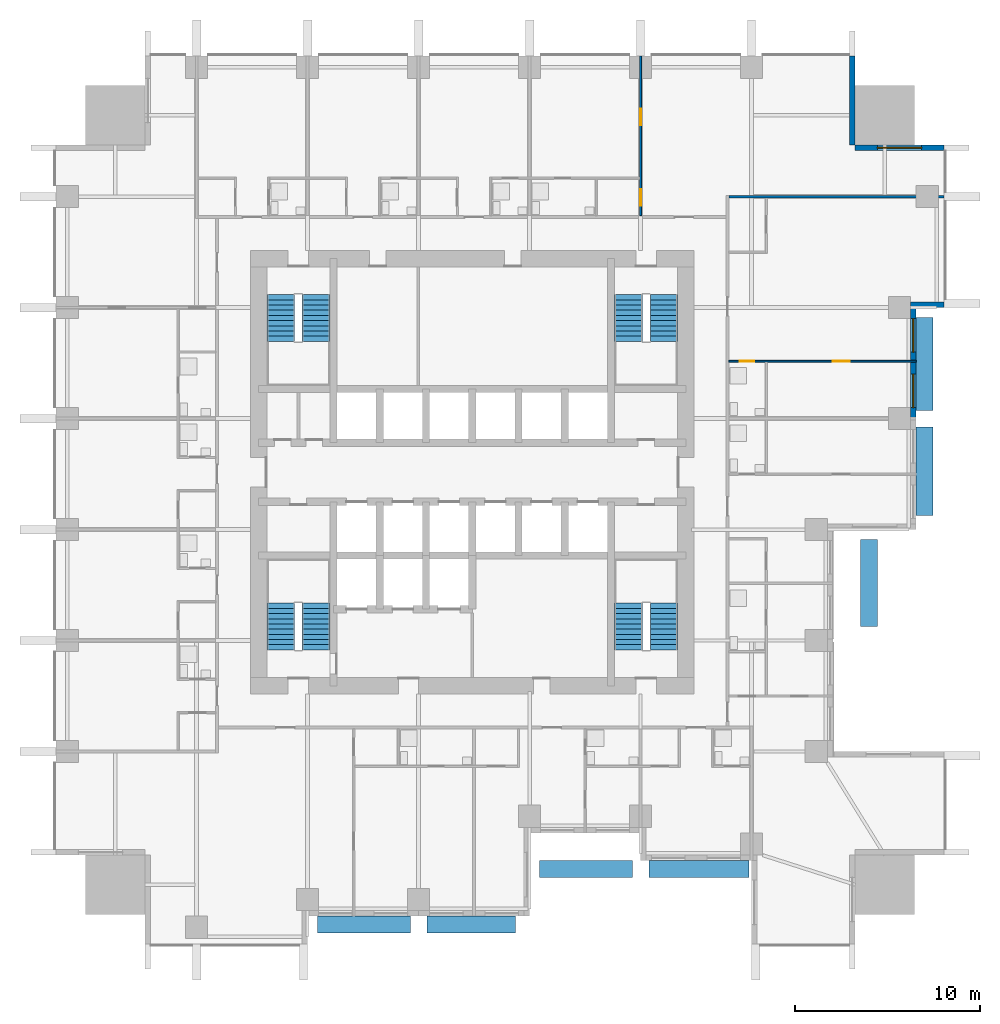
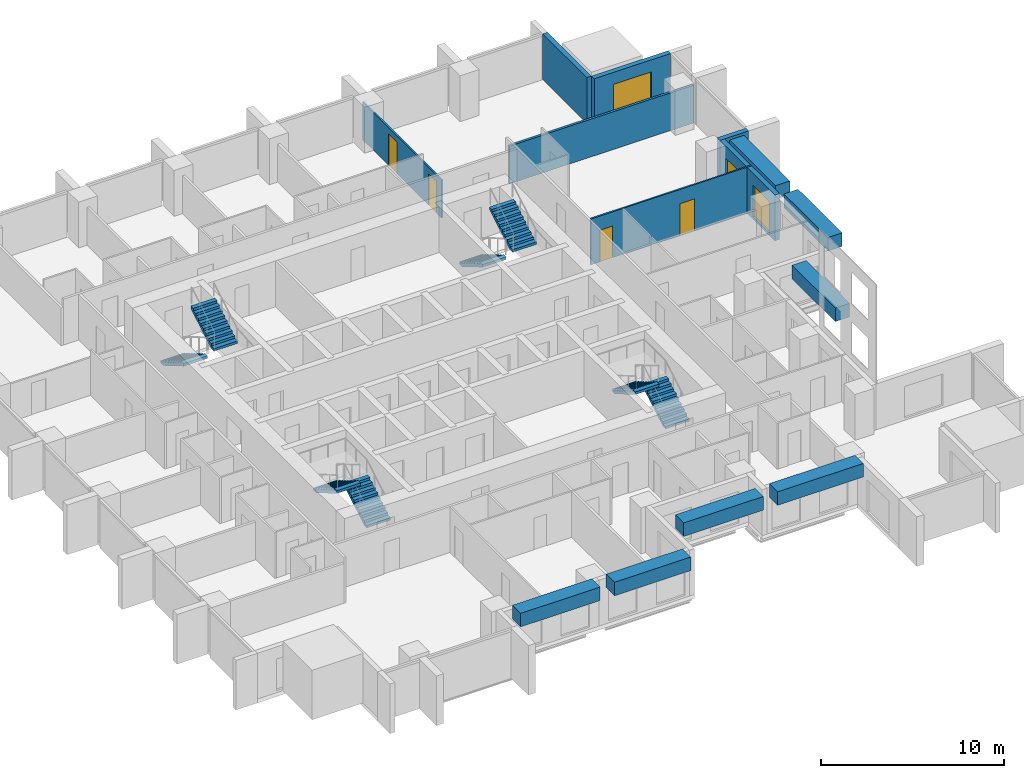
# One storey, part 8 of 10: 8 stair flights, 7 discrete accessories, 7 walls, 4 doors, 3 windows, 7 openings, 4 elements without a shape of their own.
"""IFC4 building model written with IfcOpenShell, lengths in metres."""

from ifc_helpers import new_model, si_unit, direction, frame, frame_2d, origin, origin_2d, place, context, subcontext, project, spatial, polyline, rectangle, outline, extrude, material, layer, layer_set, type_object, element, fill, aggregate, save


model = new_model("IFC4")

# Units and contexts
model_context = context("Model", 3, precision=1e-05, world=origin(), true_north=direction((0.0, 1.0)))
body_context = subcontext(model_context, "Body", "Model", "MODEL_VIEW")
ifc_project = project(units=[si_unit("LENGTHUNIT", "METRE"), si_unit("AREAUNIT", "SQUARE_METRE"), si_unit("VOLUMEUNIT", "CUBIC_METRE"), si_unit("PLANEANGLEUNIT", "RADIAN"), si_unit("MASSUNIT", "GRAM", prefix="KILO")], contexts=[model_context])

# Site, building, storey
site_placement = place(None, origin())
site = spatial("IfcSite", under=ifc_project, at=site_placement, CompositionType="ELEMENT")
building_placement = place(site_placement, origin())
building = spatial("IfcBuilding", under=site, at=building_placement, Name="Amberfall Residences", CompositionType="ELEMENT")
storey_placement = place(building_placement, frame((0.0, 0.0, 30.10009765625)))
storey = spatial("IfcBuildingStorey", under=building, at=storey_placement, Name="L07", CompositionType="ELEMENT", Elevation=30.10009765625)

# Wall
ifc_material_1 = material(Name="Pale stone cladding on insulated backing", Category="masonry")
ifc_layer_1 = layer(ifc_material_1, 0.300048828125)
ifc_layer_set_1 = layer_set([ifc_layer_1], Name="Bronze clad wall 300")
wall_type_1 = type_object("IfcWallType", Name="Bronze clad wall 300", PredefinedType="SOLIDWALL", material=ifc_layer_set_1)
wall_1_placement = place(storey_placement, frame((98.199951171875, 54.550048828125, 0.0), z_axis=(0.0, 0.0, 1.0), x_axis=(1.0, 0.0, 0.0)))
element("IfcWall", 1, at=wall_1_placement, inside=storey, type_object=wall_type_1, Name="External wall L07 E", PredefinedType="SOLIDWALL", context=body_context, shape_type="SweptSolid", body=[
    extrude(rectangle(XDim=1.800048828125, YDim=0.300048828125, at=frame_2d((0.89990234375, 0.0))), origin(), (0.0, 0.0, 1.0), 3.0498046875),
])

# Wall, opening, window
wall_2_placement = place(storey_placement, frame((100.0, 63.050048828125, 0.0), z_axis=(0.0, 0.0, 1.0), x_axis=(-1.0, 0.0, 0.0)))
wall_2 = element("IfcWall", 2, at=wall_2_placement, inside=storey, type_object=wall_type_1, Name="External wall L07 NE", PredefinedType="SOLIDWALL", context=body_context, shape_type="SweptSolid", body=[
    extrude(rectangle(XDim=4.800048828125, YDim=0.300048828125, at=frame_2d((2.39990234375, 0.0))), origin(), (0.0, 0.0, 1.0), 3.0498046875),
])
opening_1_placement = place(wall_2_placement, frame((1.199951171875, 0.0, 0.14990234375)))
opening_1 = element("IfcOpeningElement", 3, at=opening_1_placement, cuts=wall_2, Name="Opening WN5", PredefinedType="OPENING", context=body_context, shape_type="SweptSolid", body=[
    extrude(rectangle(XDim=2.39990234375, YDim=2.10009765625, at=frame_2d((1.199951171875, 1.050048828125))), frame((0.0, 0.159912109375, 0.0), z_axis=(0.0, -1.0, 0.0), x_axis=(1.0, 0.0, 0.0)), (0.0, 0.0, 1.0), 0.320068359375),
])
ifc_material_2 = material(Name="Bronze aluminium framed glazing", Category="aluminium")
window_type_1 = type_object("IfcWindowType", Name="Glazed opening 2400 x 2100 bronze", PartitioningType="DOUBLE_PANEL_VERTICAL", PredefinedType="WINDOW", material=ifc_material_2)
window_1_placement = place(opening_1_placement, origin())
window_1 = element("IfcWindow", 4, at=window_1_placement, inside=storey, type_object=window_type_1, Name="Window L07 NE", OverallHeight=2.10009765625, OverallWidth=2.39990234375, PartitioningType="DOUBLE_PANEL_VERTICAL", PredefinedType="WINDOW", context=body_context, shape_type="SweptSolid", body=[
    extrude(rectangle(XDim=2.39990234375, YDim=2.10009765625, at=frame_2d((1.199951171875, 1.050048828125))), frame((0.0, 0.030029296875, 0.0), z_axis=(0.0, -1.0, 0.0), x_axis=(1.0, 0.0, 0.0)), (0.0, 0.0, 1.0), 0.06005859375),
])
fill(opening_1, window_1)

# Wall
wall_3_placement = place(storey_placement, frame((95.050048828125, 63.199951171875, 0.0), z_axis=(0.0, 0.0, 1.0), x_axis=(0.0, 1.0, 0.0)))
element("IfcWall", 5, at=wall_3_placement, inside=storey, type_object=wall_type_1, Name="External wall L07 NE", PredefinedType="SOLIDWALL", context=body_context, shape_type="SweptSolid", body=[
    extrude(rectangle(XDim=4.800048828125, YDim=0.300048828125, at=frame_2d((2.39990234375, 0.0))), origin(), (0.0, 0.0, 1.0), 3.0498046875),
])

# Wall, openings, windows
wall_4_placement = place(storey_placement, frame((98.35009765625, 48.39990234375, 0.0), z_axis=(0.0, 0.0, 1.0), x_axis=(0.0, 1.0, 0.0)))
wall_4 = element("IfcWall", 6, at=wall_4_placement, inside=storey, type_object=wall_type_1, Name="Stone wall L07 E", PredefinedType="SOLIDWALL", context=body_context, shape_type="SweptSolid", body=[
    extrude(rectangle(XDim=6.0, YDim=0.300048828125, at=frame_2d((3.0, 0.0))), origin(), (0.0, 0.0, 1.0), 3.0498046875),
])
opening_2_placement = place(wall_4_placement, frame((0.60009765625, 0.0, 0.14990234375)))
opening_2 = element("IfcOpeningElement", 7, at=opening_2_placement, cuts=wall_4, Name="Opening WN6", PredefinedType="OPENING", context=body_context, shape_type="SweptSolid", body=[
    extrude(rectangle(XDim=1.800048828125, YDim=2.10009765625, at=frame_2d((0.89990234375, 1.050048828125))), frame((0.0, 0.159912109375, 0.0), z_axis=(0.0, -1.0, 0.0), x_axis=(1.0, 0.0, 0.0)), (0.0, 0.0, 1.0), 0.320068359375),
])
opening_3_placement = place(wall_4_placement, frame((3.60009765625, 0.0, 0.14990234375)))
opening_3 = element("IfcOpeningElement", 8, at=opening_3_placement, cuts=wall_4, Name="Opening WN6", PredefinedType="OPENING", context=body_context, shape_type="SweptSolid", body=[
    extrude(rectangle(XDim=1.800048828125, YDim=2.10009765625, at=frame_2d((0.89990234375, 1.050048828125))), frame((0.0, 0.159912109375, 0.0), z_axis=(0.0, -1.0, 0.0), x_axis=(1.0, 0.0, 0.0)), (0.0, 0.0, 1.0), 0.320068359375),
])
window_type_2 = type_object("IfcWindowType", Name="Glazed opening 1800 x 2100 bronze", PartitioningType="DOUBLE_PANEL_VERTICAL", PredefinedType="WINDOW", material=ifc_material_2)
window_2_placement = place(opening_2_placement, origin())
window_2 = element("IfcWindow", 9, at=window_2_placement, inside=storey, type_object=window_type_2, Name="Window L07 E", OverallHeight=2.10009765625, OverallWidth=1.800048828125, PartitioningType="DOUBLE_PANEL_VERTICAL", PredefinedType="WINDOW", context=body_context, shape_type="SweptSolid", body=[
    extrude(rectangle(XDim=1.800048828125, YDim=2.10009765625, at=frame_2d((0.89990234375, 1.050048828125))), frame((0.0, 0.030029296875, 0.0), z_axis=(0.0, -1.0, 0.0), x_axis=(1.0, 0.0, 0.0)), (0.0, 0.0, 1.0), 0.06005859375),
])
fill(opening_2, window_2)
window_3_placement = place(opening_3_placement, origin())
window_3 = element("IfcWindow", 10, at=window_3_placement, inside=storey, type_object=window_type_2, Name="Window L07 E", OverallHeight=2.10009765625, OverallWidth=1.800048828125, PartitioningType="DOUBLE_PANEL_VERTICAL", PredefinedType="WINDOW", context=body_context, shape_type="SweptSolid", body=[
    extrude(rectangle(XDim=1.800048828125, YDim=2.10009765625, at=frame_2d((0.89990234375, 1.050048828125))), frame((0.0, 0.030029296875, 0.0), z_axis=(0.0, -1.0, 0.0), x_axis=(1.0, 0.0, 0.0)), (0.0, 0.0, 1.0), 0.06005859375),
])
fill(opening_3, window_3)

# Wall, openings, doors
ifc_material_3 = material(Name="Gypsum board on metal stud")
ifc_layer_2 = layer(ifc_material_3, 0.10009765625)
ifc_layer_set_2 = layer_set([ifc_layer_2], Name="Flat partition 100")
wall_type_2 = type_object("IfcWallType", Name="Flat partition 100", PredefinedType="PARTITIONING", material=ifc_layer_set_2)
wall_5_placement = place(storey_placement, frame((83.60009765625, 59.375, 0.0), z_axis=(0.0, 0.0, 1.0), x_axis=(0.0, 1.0, 0.0)))
wall_5 = element("IfcWall", 11, at=wall_5_placement, inside=storey, type_object=wall_type_2, Name="Partition 016", PredefinedType="PARTITIONING", context=body_context, shape_type="SweptSolid", body=[
    extrude(rectangle(XDim=8.625, YDim=0.10009765625, at=frame_2d((4.3125, 0.0))), origin(), (0.0, 0.0, 1.0), 2.515869140625),
])
opening_4_placement = place(wall_5_placement, frame((0.52490234375, 0.0, 0.0)))
opening_4 = element("IfcOpeningElement", 12, at=opening_4_placement, cuts=wall_5, Name="Opening D41", PredefinedType="OPENING", context=body_context, shape_type="SweptSolid", body=[
    extrude(rectangle(XDim=0.89990234375, YDim=2.10009765625, at=frame_2d((0.449951171875, 1.050048828125))), frame((0.0, 0.06005859375, 0.0), z_axis=(0.0, -1.0, 0.0), x_axis=(1.0, 0.0, 0.0)), (0.0, 0.0, 1.0), 0.1201171875),
])
opening_5_placement = place(wall_5_placement, frame((4.875, 0.0, 0.0)))
opening_5 = element("IfcOpeningElement", 13, at=opening_5_placement, cuts=wall_5, Name="Opening D41", PredefinedType="OPENING", context=body_context, shape_type="SweptSolid", body=[
    extrude(rectangle(XDim=0.89990234375, YDim=2.10009765625, at=frame_2d((0.449951171875, 1.050048828125))), frame((0.0, 0.06005859375, 0.0), z_axis=(0.0, -1.0, 0.0), x_axis=(1.0, 0.0, 0.0)), (0.0, 0.0, 1.0), 0.1201171875),
])
ifc_material_4 = material(Name="Timber", Category="wood")
door_type_1 = type_object("IfcDoorType", Name="Internal door 900 x 2100", OperationType="SINGLE_SWING_LEFT", PredefinedType="DOOR", material=ifc_material_4)
door_1_placement = place(opening_4_placement, origin())
door_1 = element("IfcDoor", 14, at=door_1_placement, inside=storey, type_object=door_type_1, Name="Door 0710 kitchen", OperationType="SINGLE_SWING_LEFT", OverallHeight=2.10009765625, OverallWidth=0.89990234375, PredefinedType="DOOR", context=body_context, shape_type="SweptSolid", body=[
    extrude(rectangle(XDim=0.89990234375, YDim=2.10009765625, at=frame_2d((0.449951171875, 1.050048828125))), frame((0.0, 0.02490234375, 0.0), z_axis=(0.0, -1.0, 0.0), x_axis=(1.0, 0.0, 0.0)), (0.0, 0.0, 1.0), 0.050048828125),
])
fill(opening_4, door_1)
door_2_placement = place(opening_5_placement, origin())
door_2 = element("IfcDoor", 15, at=door_2_placement, inside=storey, type_object=door_type_1, Name="Door 0710 bedroom1", OperationType="SINGLE_SWING_LEFT", OverallHeight=2.10009765625, OverallWidth=0.89990234375, PredefinedType="DOOR", context=body_context, shape_type="SweptSolid", body=[
    extrude(rectangle(XDim=0.89990234375, YDim=2.10009765625, at=frame_2d((0.449951171875, 1.050048828125))), frame((0.0, 0.02490234375, 0.0), z_axis=(0.0, -1.0, 0.0), x_axis=(1.0, 0.0, 0.0)), (0.0, 0.0, 1.0), 0.050048828125),
])
fill(opening_5, door_2)

wall_6_placement = place(storey_placement, frame((98.5, 51.5, 0.0), z_axis=(0.0, 0.0, 1.0), x_axis=(-1.0, 0.0, 0.0)))
wall_6 = element("IfcWall", 16, at=wall_6_placement, inside=storey, type_object=wall_type_2, Name="Partition 030", PredefinedType="PARTITIONING", context=body_context, shape_type="SweptSolid", body=[
    extrude(rectangle(XDim=10.125, YDim=0.10009765625, at=frame_2d((5.0625, 0.0))), origin(), (0.0, 0.0, 1.0), 3.0498046875),
])
opening_6_placement = place(wall_6_placement, frame((3.60009765625, 0.0, 0.0)))
opening_6 = element("IfcOpeningElement", 17, at=opening_6_placement, cuts=wall_6, Name="Opening D41", PredefinedType="OPENING", context=body_context, shape_type="SweptSolid", body=[
    extrude(rectangle(XDim=0.89990234375, YDim=2.10009765625, at=frame_2d((0.449951171875, 1.050048828125))), frame((0.0, 0.06005859375, 0.0), z_axis=(0.0, -1.0, 0.0), x_axis=(1.0, 0.0, 0.0)), (0.0, 0.0, 1.0), 0.1201171875),
])
opening_7_placement = place(wall_6_placement, frame((8.75, 0.0, 0.0)))
opening_7 = element("IfcOpeningElement", 18, at=opening_7_placement, cuts=wall_6, Name="Opening D42", PredefinedType="OPENING", context=body_context, shape_type="SweptSolid", body=[
    extrude(rectangle(XDim=0.800048828125, YDim=2.10009765625, at=frame_2d((0.39990234375, 1.050048828125))), frame((0.0, 0.06005859375, 0.0), z_axis=(0.0, -1.0, 0.0), x_axis=(1.0, 0.0, 0.0)), (0.0, 0.0, 1.0), 0.1201171875),
])
door_type_2 = type_object("IfcDoorType", Name="Bathroom door 800 x 2100", OperationType="SINGLE_SWING_LEFT", PredefinedType="DOOR", material=ifc_material_4)
door_3_placement = place(opening_7_placement, origin())
door_3 = element("IfcDoor", 19, at=door_3_placement, inside=storey, type_object=door_type_2, Name="Door 0706 bath1", OperationType="SINGLE_SWING_LEFT", OverallHeight=2.10009765625, OverallWidth=0.800048828125, PredefinedType="DOOR", context=body_context, shape_type="SweptSolid", body=[
    extrude(rectangle(XDim=0.800048828125, YDim=2.10009765625, at=frame_2d((0.39990234375, 1.050048828125))), frame((0.0, 0.02490234375, 0.0), z_axis=(0.0, -1.0, 0.0), x_axis=(1.0, 0.0, 0.0)), (0.0, 0.0, 1.0), 0.050048828125),
])
fill(opening_7, door_3)
door_4_placement = place(opening_6_placement, origin())
door_4 = element("IfcDoor", 20, at=door_4_placement, inside=storey, type_object=door_type_1, Name="Door 0706 bedroom1", OperationType="SINGLE_SWING_LEFT", OverallHeight=2.10009765625, OverallWidth=0.89990234375, PredefinedType="DOOR", context=body_context, shape_type="SweptSolid", body=[
    extrude(rectangle(XDim=0.89990234375, YDim=2.10009765625, at=frame_2d((0.449951171875, 1.050048828125))), frame((0.0, 0.02490234375, 0.0), z_axis=(0.0, -1.0, 0.0), x_axis=(1.0, 0.0, 0.0)), (0.0, 0.0, 1.0), 0.050048828125),
])
fill(opening_6, door_4)

# Wall
ifc_material_5 = material(Name="Blockwork, plastered", Category="masonry")
ifc_layer_3 = layer(ifc_material_5, 0.14990234375)
ifc_layer_set_3 = layer_set([ifc_layer_3], Name="Flat separating wall 150")
wall_type_3 = type_object("IfcWallType", Name="Flat separating wall 150", PredefinedType="PARTITIONING", material=ifc_layer_set_3)
wall_7_placement = place(storey_placement, frame((88.375, 60.39990234375, 0.0), z_axis=(0.0, 0.0, 1.0), x_axis=(1.0, 0.0, 0.0)))
element("IfcWall", 21, at=wall_7_placement, inside=storey, type_object=wall_type_3, Name="Separating wall 053", PredefinedType="PARTITIONING", context=body_context, shape_type="SweptSolid", body=[
    extrude(rectangle(XDim=11.625, YDim=0.14990234375, at=frame_2d((5.8125, 0.0))), origin(), (0.0, 0.0, 1.0), 2.515869140625),
])

# Stair, stair flights
ifc_material_6 = material(Name="Concrete C40", Category="concrete")
stair_type = type_object("IfcStairType", Name="Exit stair 20 risers 165.0 mm", PredefinedType="HALF_TURN_STAIR", material=ifc_material_6)
stair_1_placement = place(storey_placement, origin())
stair_1 = element("IfcStair", 22, at=stair_1_placement, inside=storey, type_object=stair_type, Name="L07 Exit stair 1", PredefinedType="HALF_TURN_STAIR")
stair_flight_type = type_object("IfcStairFlightType", Name="Stair flight 10 risers 165.0 mm", PredefinedType="STRAIGHT", material=ifc_material_6)
stair_flight_1_placement = place(storey_placement, frame((66.050048828125, 35.89990234375, 0.0), z_axis=(0.0, 0.0, 1.0), x_axis=(0.0, 1.0, 0.0)))
stair_flight_1 = element("IfcStairFlight", 23, at=stair_flight_1_placement, type_object=stair_flight_type, Name="ST3 flight 1", NumberOfRisers=10, NumberOfTreads=9, PredefinedType="STRAIGHT", RiserHeight=0.165, TreadLength=0.28, context=body_context, shape_type="SweptSolid", body=[
    extrude(outline(polyline([(0.0, 0.0), (0.0, 0.1650390625), (0.280029296875, 0.1650390625), (0.280029296875, 0.330078125), (0.56005859375, 0.330078125), (0.56005859375, 0.4951171875), (0.840087890625, 0.4951171875), (0.840087890625, 0.659912109375), (1.1201171875, 0.659912109375), (1.1201171875, 0.824951171875), (1.39990234375, 0.824951171875), (1.39990234375, 0.989990234375), (1.679931640625, 0.989990234375), (1.679931640625, 1.155029296875), (1.9599609375, 1.155029296875), (1.9599609375, 1.320068359375), (2.239990234375, 1.320068359375), (2.239990234375, 1.485107421875), (2.52001953125, 1.485107421875), (2.52001953125, 1.64990234375), (2.52001953125, 1.31103515625), (0.295166015625, 0.0), (0.0, 0.0)])), frame((0.0, 0.75, 0.0), z_axis=(0.0, -1.0, 0.0), x_axis=(1.0, 0.0, 0.0)), (0.0, 0.0, 1.0), 1.5),
])
stair_flight_2_placement = place(storey_placement, frame((64.14990234375, 38.419921875, 1.64990234375), z_axis=(0.0, 0.0, 1.0), x_axis=(0.0, -1.0, 0.0)))
stair_flight_2 = element("IfcStairFlight", 24, at=stair_flight_2_placement, type_object=stair_flight_type, Name="ST3 flight 2", NumberOfRisers=10, NumberOfTreads=9, PredefinedType="STRAIGHT", RiserHeight=0.165, TreadLength=0.28, context=body_context, shape_type="SweptSolid", body=[
    extrude(outline(polyline([(0.0, 0.0), (0.0, 0.1650390625), (0.280029296875, 0.1650390625), (0.280029296875, 0.330078125), (0.56005859375, 0.330078125), (0.56005859375, 0.4951171875), (0.840087890625, 0.4951171875), (0.840087890625, 0.659912109375), (1.1201171875, 0.659912109375), (1.1201171875, 0.824951171875), (1.39990234375, 0.824951171875), (1.39990234375, 0.989990234375), (1.679931640625, 0.989990234375), (1.679931640625, 1.155029296875), (1.9599609375, 1.155029296875), (1.9599609375, 1.320068359375), (2.239990234375, 1.320068359375), (2.239990234375, 1.485107421875), (2.52001953125, 1.485107421875), (2.52001953125, 1.64990234375), (2.52001953125, 1.31103515625), (0.295166015625, 0.0), (0.0, 0.0)])), frame((0.0, 0.75, 0.0), z_axis=(0.0, -1.0, 0.0), x_axis=(1.0, 0.0, 0.0)), (0.0, 0.0, 1.0), 1.5),
])
aggregate(stair_1, [stair_flight_1, stair_flight_2])

stair_2_placement = place(storey_placement, origin())
stair_2 = element("IfcStair", 25, at=stair_2_placement, inside=storey, type_object=stair_type, Name="L07 Exit stair 2", PredefinedType="HALF_TURN_STAIR")
stair_flight_3_placement = place(storey_placement, frame((84.85009765625, 35.89990234375, 0.0), z_axis=(0.0, 0.0, 1.0), x_axis=(0.0, 1.0, 0.0)))
stair_flight_3 = element("IfcStairFlight", 26, at=stair_flight_3_placement, type_object=stair_flight_type, Name="ST3 flight 1", NumberOfRisers=10, NumberOfTreads=9, PredefinedType="STRAIGHT", RiserHeight=0.165, TreadLength=0.28, context=body_context, shape_type="SweptSolid", body=[
    extrude(outline(polyline([(0.0, 0.0), (0.0, 0.1650390625), (0.280029296875, 0.1650390625), (0.280029296875, 0.330078125), (0.56005859375, 0.330078125), (0.56005859375, 0.4951171875), (0.840087890625, 0.4951171875), (0.840087890625, 0.659912109375), (1.1201171875, 0.659912109375), (1.1201171875, 0.824951171875), (1.39990234375, 0.824951171875), (1.39990234375, 0.989990234375), (1.679931640625, 0.989990234375), (1.679931640625, 1.155029296875), (1.9599609375, 1.155029296875), (1.9599609375, 1.320068359375), (2.239990234375, 1.320068359375), (2.239990234375, 1.485107421875), (2.52001953125, 1.485107421875), (2.52001953125, 1.64990234375), (2.52001953125, 1.31103515625), (0.295166015625, 0.0), (0.0, 0.0)])), frame((0.0, 0.75, 0.0), z_axis=(0.0, -1.0, 0.0), x_axis=(1.0, 0.0, 0.0)), (0.0, 0.0, 1.0), 1.5),
])
stair_flight_4_placement = place(storey_placement, frame((82.949951171875, 38.419921875, 1.64990234375), z_axis=(0.0, 0.0, 1.0), x_axis=(0.0, -1.0, 0.0)))
stair_flight_4 = element("IfcStairFlight", 27, at=stair_flight_4_placement, type_object=stair_flight_type, Name="ST3 flight 2", NumberOfRisers=10, NumberOfTreads=9, PredefinedType="STRAIGHT", RiserHeight=0.165, TreadLength=0.28, context=body_context, shape_type="SweptSolid", body=[
    extrude(outline(polyline([(0.0, 0.0), (0.0, 0.1650390625), (0.280029296875, 0.1650390625), (0.280029296875, 0.330078125), (0.56005859375, 0.330078125), (0.56005859375, 0.4951171875), (0.840087890625, 0.4951171875), (0.840087890625, 0.659912109375), (1.1201171875, 0.659912109375), (1.1201171875, 0.824951171875), (1.39990234375, 0.824951171875), (1.39990234375, 0.989990234375), (1.679931640625, 0.989990234375), (1.679931640625, 1.155029296875), (1.9599609375, 1.155029296875), (1.9599609375, 1.320068359375), (2.239990234375, 1.320068359375), (2.239990234375, 1.485107421875), (2.52001953125, 1.485107421875), (2.52001953125, 1.64990234375), (2.52001953125, 1.31103515625), (0.295166015625, 0.0), (0.0, 0.0)])), frame((0.0, 0.75, 0.0), z_axis=(0.0, -1.0, 0.0), x_axis=(1.0, 0.0, 0.0)), (0.0, 0.0, 1.0), 1.5),
])
aggregate(stair_2, [stair_flight_3, stair_flight_4])

stair_3_placement = place(storey_placement, origin())
stair_3 = element("IfcStair", 28, at=stair_3_placement, inside=storey, type_object=stair_type, Name="L07 Exit stair 3", PredefinedType="HALF_TURN_STAIR")
stair_flight_5_placement = place(storey_placement, frame((82.949951171875, 55.10009765625, 0.0), z_axis=(0.0, 0.0, 1.0), x_axis=(0.0, -1.0, 0.0)))
stair_flight_5 = element("IfcStairFlight", 29, at=stair_flight_5_placement, type_object=stair_flight_type, Name="ST3 flight 1", NumberOfRisers=10, NumberOfTreads=9, PredefinedType="STRAIGHT", RiserHeight=0.165, TreadLength=0.28, context=body_context, shape_type="SweptSolid", body=[
    extrude(outline(polyline([(0.0, 0.0), (0.0, 0.1650390625), (0.280029296875, 0.1650390625), (0.280029296875, 0.330078125), (0.56005859375, 0.330078125), (0.56005859375, 0.4951171875), (0.840087890625, 0.4951171875), (0.840087890625, 0.659912109375), (1.1201171875, 0.659912109375), (1.1201171875, 0.824951171875), (1.39990234375, 0.824951171875), (1.39990234375, 0.989990234375), (1.679931640625, 0.989990234375), (1.679931640625, 1.155029296875), (1.9599609375, 1.155029296875), (1.9599609375, 1.320068359375), (2.239990234375, 1.320068359375), (2.239990234375, 1.485107421875), (2.52001953125, 1.485107421875), (2.52001953125, 1.64990234375), (2.52001953125, 1.31103515625), (0.295166015625, 0.0), (0.0, 0.0)])), frame((0.0, 0.75, 0.0), z_axis=(0.0, -1.0, 0.0), x_axis=(1.0, 0.0, 0.0)), (0.0, 0.0, 1.0), 1.5),
])
stair_flight_6_placement = place(storey_placement, frame((84.85009765625, 52.580078125, 1.64990234375), z_axis=(0.0, 0.0, 1.0), x_axis=(0.0, 1.0, 0.0)))
stair_flight_6 = element("IfcStairFlight", 30, at=stair_flight_6_placement, type_object=stair_flight_type, Name="ST3 flight 2", NumberOfRisers=10, NumberOfTreads=9, PredefinedType="STRAIGHT", RiserHeight=0.165, TreadLength=0.28, context=body_context, shape_type="SweptSolid", body=[
    extrude(outline(polyline([(0.0, 0.0), (0.0, 0.1650390625), (0.280029296875, 0.1650390625), (0.280029296875, 0.330078125), (0.56005859375, 0.330078125), (0.56005859375, 0.4951171875), (0.840087890625, 0.4951171875), (0.840087890625, 0.659912109375), (1.1201171875, 0.659912109375), (1.1201171875, 0.824951171875), (1.39990234375, 0.824951171875), (1.39990234375, 0.989990234375), (1.679931640625, 0.989990234375), (1.679931640625, 1.155029296875), (1.9599609375, 1.155029296875), (1.9599609375, 1.320068359375), (2.239990234375, 1.320068359375), (2.239990234375, 1.485107421875), (2.52001953125, 1.485107421875), (2.52001953125, 1.64990234375), (2.52001953125, 1.31103515625), (0.295166015625, 0.0), (0.0, 0.0)])), frame((0.0, 0.75, 0.0), z_axis=(0.0, -1.0, 0.0), x_axis=(1.0, 0.0, 0.0)), (0.0, 0.0, 1.0), 1.5),
])
aggregate(stair_3, [stair_flight_5, stair_flight_6])

stair_4_placement = place(storey_placement, origin())
stair_4 = element("IfcStair", 31, at=stair_4_placement, inside=storey, type_object=stair_type, Name="L07 Exit stair 4", PredefinedType="HALF_TURN_STAIR")
stair_flight_7_placement = place(storey_placement, frame((64.14990234375, 55.10009765625, 0.0), z_axis=(0.0, 0.0, 1.0), x_axis=(0.0, -1.0, 0.0)))
stair_flight_7 = element("IfcStairFlight", 32, at=stair_flight_7_placement, type_object=stair_flight_type, Name="ST3 flight 1", NumberOfRisers=10, NumberOfTreads=9, PredefinedType="STRAIGHT", RiserHeight=0.165, TreadLength=0.28, context=body_context, shape_type="SweptSolid", body=[
    extrude(outline(polyline([(0.0, 0.0), (0.0, 0.1650390625), (0.280029296875, 0.1650390625), (0.280029296875, 0.330078125), (0.56005859375, 0.330078125), (0.56005859375, 0.4951171875), (0.840087890625, 0.4951171875), (0.840087890625, 0.659912109375), (1.1201171875, 0.659912109375), (1.1201171875, 0.824951171875), (1.39990234375, 0.824951171875), (1.39990234375, 0.989990234375), (1.679931640625, 0.989990234375), (1.679931640625, 1.155029296875), (1.9599609375, 1.155029296875), (1.9599609375, 1.320068359375), (2.239990234375, 1.320068359375), (2.239990234375, 1.485107421875), (2.52001953125, 1.485107421875), (2.52001953125, 1.64990234375), (2.52001953125, 1.31103515625), (0.295166015625, 0.0), (0.0, 0.0)])), frame((0.0, 0.75, 0.0), z_axis=(0.0, -1.0, 0.0), x_axis=(1.0, 0.0, 0.0)), (0.0, 0.0, 1.0), 1.5),
])
stair_flight_8_placement = place(storey_placement, frame((66.050048828125, 52.580078125, 1.64990234375), z_axis=(0.0, 0.0, 1.0), x_axis=(0.0, 1.0, 0.0)))
stair_flight_8 = element("IfcStairFlight", 33, at=stair_flight_8_placement, type_object=stair_flight_type, Name="ST3 flight 2", NumberOfRisers=10, NumberOfTreads=9, PredefinedType="STRAIGHT", RiserHeight=0.165, TreadLength=0.28, context=body_context, shape_type="SweptSolid", body=[
    extrude(outline(polyline([(0.0, 0.0), (0.0, 0.1650390625), (0.280029296875, 0.1650390625), (0.280029296875, 0.330078125), (0.56005859375, 0.330078125), (0.56005859375, 0.4951171875), (0.840087890625, 0.4951171875), (0.840087890625, 0.659912109375), (1.1201171875, 0.659912109375), (1.1201171875, 0.824951171875), (1.39990234375, 0.824951171875), (1.39990234375, 0.989990234375), (1.679931640625, 0.989990234375), (1.679931640625, 1.155029296875), (1.9599609375, 1.155029296875), (1.9599609375, 1.320068359375), (2.239990234375, 1.320068359375), (2.239990234375, 1.485107421875), (2.52001953125, 1.485107421875), (2.52001953125, 1.64990234375), (2.52001953125, 1.31103515625), (0.295166015625, 0.0), (0.0, 0.0)])), frame((0.0, 0.75, 0.0), z_axis=(0.0, -1.0, 0.0), x_axis=(1.0, 0.0, 0.0)), (0.0, 0.0, 1.0), 1.5),
])
aggregate(stair_4, [stair_flight_7, stair_flight_8])

# Discrete accessories
discrete_accessory_1_placement = place(storey_placement, frame((68.64501953125, 21.050048828125, 2.39990234375), z_axis=(0.0, 0.0, 1.0), x_axis=(1.0, 0.0, 0.0)))
element("IfcDiscreteAccessory", 34, at=discrete_accessory_1_placement, inside=storey, Name="Planter box L08 S3", ObjectType="PLANTER BOX", PredefinedType="USERDEFINED", context=body_context, shape_type="SweptSolid", body=[
    extrude(rectangle(XDim=5.010009765625, YDim=0.89990234375, at=origin_2d()), origin(), (0.0, 0.0, 1.0), 0.89990234375),
])
for number, where, z_axis, x_axis, name in (
    (35, (74.449951171875, 21.050048828125, 2.39990234375), (0.0, 0.0, 1.0), (1.0, 0.0, 0.0), "Planter box L08 S4"),
    (36, (98.949951171875, 45.550048828125, 2.39990234375), (0.0, 0.0, 1.0), (0.0, 1.0, 0.0), "Planter box L08 E7"),
):
    element("IfcDiscreteAccessory", number, at=place(storey_placement, frame(where, z_axis=z_axis, x_axis=x_axis)), inside=storey, Name=name, ObjectType="PLANTER BOX", PredefinedType="USERDEFINED", context=body_context, shape_type="SweptSolid", body=[
        extrude(rectangle(XDim=4.800048828125, YDim=0.89990234375, at=origin_2d()), origin(), (0.0, 0.0, 1.0), 0.89990234375),
    ])
for number, where, z_axis, x_axis, name in (
    (37, (98.949951171875, 51.35498046875, 2.39990234375), (0.0, 0.0, 1.0), (0.0, 1.0, 0.0), "Planter box L08 E8"),
    (38, (80.64501953125, 24.050048828125, 2.39990234375), (0.0, 0.0, 1.0), (1.0, 0.0, 0.0), "Planter box L08 S6"),
):
    element("IfcDiscreteAccessory", number, at=place(storey_placement, frame(where, z_axis=z_axis, x_axis=x_axis)), inside=storey, Name=name, ObjectType="PLANTER BOX", PredefinedType="USERDEFINED", context=body_context, shape_type="SweptSolid", body=[
        extrude(rectangle(XDim=5.010009765625, YDim=0.89990234375, at=origin_2d()), origin(), (0.0, 0.0, 1.0), 0.89990234375),
    ])
discrete_accessory_2_placement = place(storey_placement, frame((86.75, 24.050048828125, 2.39990234375), z_axis=(0.0, 0.0, 1.0), x_axis=(1.0, 0.0, 0.0)))
element("IfcDiscreteAccessory", 39, at=discrete_accessory_2_placement, inside=storey, Name="Planter box L08 S7", ObjectType="PLANTER BOX", PredefinedType="USERDEFINED", context=body_context, shape_type="SweptSolid", body=[
    extrude(rectangle(XDim=5.39990234375, YDim=0.89990234375, at=origin_2d()), origin(), (0.0, 0.0, 1.0), 0.89990234375),
])
discrete_accessory_3_placement = place(storey_placement, frame((95.949951171875, 39.5048828125, 2.39990234375), z_axis=(0.0, 0.0, 1.0), x_axis=(0.0, 1.0, 0.0)))
element("IfcDiscreteAccessory", 40, at=discrete_accessory_3_placement, inside=storey, Name="Planter box L08 E5", ObjectType="PLANTER BOX", PredefinedType="USERDEFINED", context=body_context, shape_type="SweptSolid", body=[
    extrude(rectangle(XDim=4.7099609375, YDim=0.89990234375, at=origin_2d()), origin(), (0.0, 0.0, 1.0), 0.89990234375),
])

save(model, "model.ifc")
